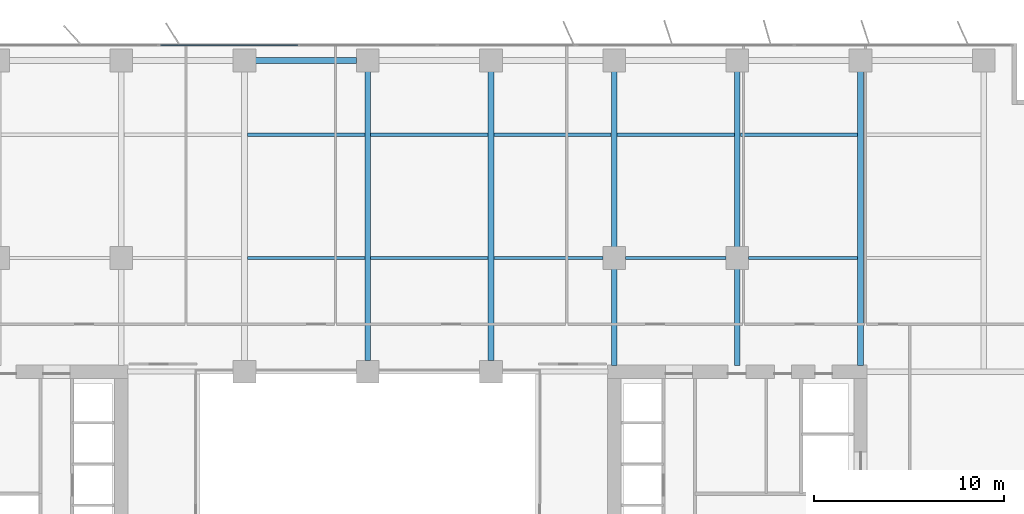
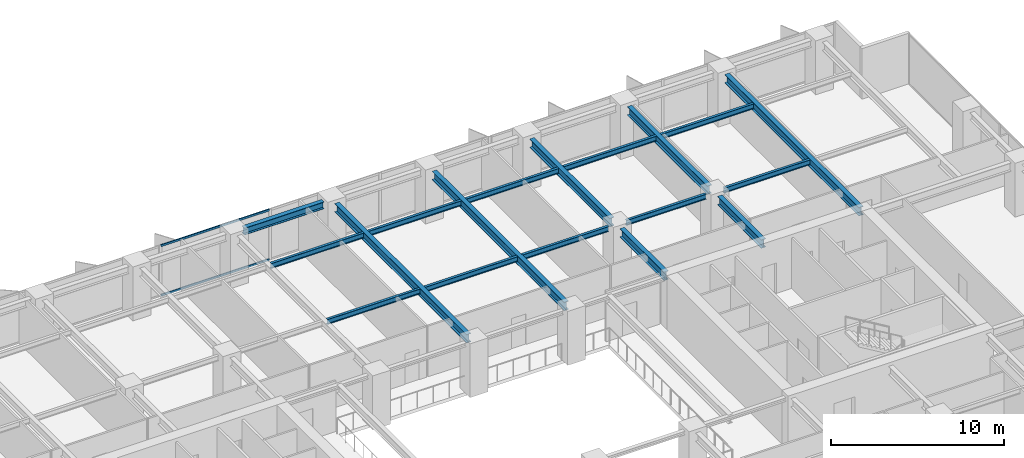
# One storey, part 8 of 20: 18 beams, 2 members, 1 element without a shape of its own.
"""IFC4 building model written with IfcOpenShell, lengths in metres."""

from ifc_helpers import new_model, si_unit, direction, frame, origin, origin_2d, place, context, subcontext, project, spatial, rectangle, i_section, extrude, material, layer, layer_set, material_profile, profile_set, type_object, element, aggregate, save


model = new_model("IFC4")

# Units and contexts
model_context = context("Model", 3, precision=1e-05, world=origin(), true_north=direction((0.0, 1.0)))
body_context = subcontext(model_context, "Body", "Model", "MODEL_VIEW")
ifc_project = project(units=[si_unit("LENGTHUNIT", "METRE"), si_unit("AREAUNIT", "SQUARE_METRE"), si_unit("VOLUMEUNIT", "CUBIC_METRE"), si_unit("PLANEANGLEUNIT", "RADIAN"), si_unit("MASSUNIT", "GRAM", prefix="KILO")], contexts=[model_context])

# Site, building, storey
site_placement = place(None, origin())
site = spatial("IfcSite", under=ifc_project, at=site_placement, CompositionType="ELEMENT")
building_placement = place(site_placement, origin())
building = spatial("IfcBuilding", under=site, at=building_placement, Name="Putna Gate Headquarters", CompositionType="ELEMENT")
storey_placement = place(building_placement, frame((0.0, 0.0, 120.199951171875)))
storey = spatial("IfcBuildingStorey", under=building, at=storey_placement, Name="L29", CompositionType="ELEMENT", Elevation=120.199951171875)

# Beams
ifc_material_1 = material(Name="Steel S355J2", Category="steel")
ifc_material_profile_1 = material_profile(ifc_material_1, i_section(OverallWidth=0.300048828125, OverallDepth=0.60009765625, WebThickness=0.015380859375, FlangeThickness=0.030029296875, at=origin_2d()), Name="Steel S355J2")
ifc_profile_set_1 = profile_set([ifc_material_profile_1], Name="Steel S355J2")
beam_type_1 = type_object("IfcBeamType", Name="BM-GIRD-Z2-HEB600", PredefinedType="USERDEFINED", material=ifc_profile_set_1)
for number, where, z_axis, x_axis, name in (
    (1, (39.0, 33.587890625, 3.26513671875), (0.0, 1.0, 0.0), (-1.0, 0.0, 0.0), "L29 North Primary Girder X39"),
    (2, (45.5, 33.587890625, 3.26513671875), (0.0, 1.0, 0.0), (-1.0, 0.0, 0.0), "L29 North Primary Girder X45"),
):
    element("IfcBeam", number, at=place(storey_placement, frame(where, z_axis=z_axis, x_axis=x_axis)), inside=storey, type_object=beam_type_1, Name=name, ObjectType="GIRDER", PredefinedType="USERDEFINED", context=body_context, shape_type="SweptSolid", body=[
        extrude(i_section(OverallWidth=0.300048828125, OverallDepth=0.60009765625, WebThickness=0.015380859375, FlangeThickness=0.030029296875, at=origin_2d()), origin(), (0.0, 0.0, 1.0), 15.244140625),
    ])
beam_1_placement = place(storey_placement, frame((52.0, 33.3349609375, 3.26513671875), z_axis=(0.0, 1.0, 0.0), x_axis=(-1.0, 0.0, 0.0)))
element("IfcBeam", 3, at=beam_1_placement, inside=storey, type_object=beam_type_1, Name="L29 North Primary Girder X52-1", ObjectType="GIRDER", PredefinedType="USERDEFINED", context=body_context, shape_type="SweptSolid", body=[
    extrude(i_section(OverallWidth=0.300048828125, OverallDepth=0.60009765625, WebThickness=0.015380859375, FlangeThickness=0.030029296875, at=origin_2d()), origin(), (0.0, 0.0, 1.0), 5.0771484375),
])
beam_2_placement = place(storey_placement, frame((52.0, 39.587890625, 3.26513671875), z_axis=(0.0, 1.0, 0.0), x_axis=(-1.0, 0.0, 0.0)))
element("IfcBeam", 4, at=beam_2_placement, inside=storey, type_object=beam_type_1, Name="L29 North Primary Girder X52-2", ObjectType="GIRDER", PredefinedType="USERDEFINED", context=body_context, shape_type="SweptSolid", body=[
    extrude(i_section(OverallWidth=0.300048828125, OverallDepth=0.60009765625, WebThickness=0.015380859375, FlangeThickness=0.030029296875, at=origin_2d()), origin(), (0.0, 0.0, 1.0), 9.244140625),
])
beam_3_placement = place(storey_placement, frame((58.5, 33.3349609375, 3.26513671875), z_axis=(0.0, 1.0, 0.0), x_axis=(-1.0, 0.0, 0.0)))
element("IfcBeam", 5, at=beam_3_placement, inside=storey, type_object=beam_type_1, Name="L29 North Primary Girder X58-1", ObjectType="GIRDER", PredefinedType="USERDEFINED", context=body_context, shape_type="SweptSolid", body=[
    extrude(i_section(OverallWidth=0.300048828125, OverallDepth=0.60009765625, WebThickness=0.015380859375, FlangeThickness=0.030029296875, at=origin_2d()), origin(), (0.0, 0.0, 1.0), 5.0771484375),
])
beam_4_placement = place(storey_placement, frame((58.5, 39.587890625, 3.26513671875), z_axis=(0.0, 1.0, 0.0), x_axis=(-1.0, 0.0, 0.0)))
element("IfcBeam", 6, at=beam_4_placement, inside=storey, type_object=beam_type_1, Name="L29 North Primary Girder X58-2", ObjectType="GIRDER", PredefinedType="USERDEFINED", context=body_context, shape_type="SweptSolid", body=[
    extrude(i_section(OverallWidth=0.300048828125, OverallDepth=0.60009765625, WebThickness=0.015380859375, FlangeThickness=0.030029296875, at=origin_2d()), origin(), (0.0, 0.0, 1.0), 9.244140625),
])
beam_5_placement = place(storey_placement, frame((65.0, 33.3349609375, 3.26513671875), z_axis=(0.0, 1.0, 0.0), x_axis=(-1.0, 0.0, 0.0)))
element("IfcBeam", 7, at=beam_5_placement, inside=storey, type_object=beam_type_1, Name="L29 North Primary Girder X65", ObjectType="GIRDER", PredefinedType="USERDEFINED", context=body_context, shape_type="SweptSolid", body=[
    extrude(i_section(OverallWidth=0.300048828125, OverallDepth=0.60009765625, WebThickness=0.015380859375, FlangeThickness=0.030029296875, at=origin_2d()), origin(), (0.0, 0.0, 1.0), 15.4970703125),
])
ifc_material_profile_2 = material_profile(ifc_material_1, i_section(OverallWidth=0.169921875, OverallDepth=0.360107421875, WebThickness=0.008056640625, FlangeThickness=0.0126953125, at=origin_2d()), Name="Steel S355J2")
ifc_profile_set_2 = profile_set([ifc_material_profile_2], Name="Steel S355J2")
beam_type_2 = type_object("IfcBeamType", Name="BM-SEC-Z2-IPE360", PredefinedType="BEAM", material=ifc_profile_set_2)
for number, where, z_axis, x_axis, name in (
    (8, (32.654052734375, 39.0, 3.385009765625), (1.0, 0.0, 0.0), (0.0, 1.0, 0.0), "L29 North Secondary Beam 5"),
    (9, (32.654052734375, 45.5, 3.385009765625), (1.0, 0.0, 0.0), (0.0, 1.0, 0.0), "L29 North Secondary Beam 5"),
    (10, (39.154052734375, 39.0, 3.385009765625), (1.0, 0.0, 0.0), (0.0, 1.0, 0.0), "L29 North Secondary Beam 6"),
    (11, (39.154052734375, 45.5, 3.385009765625), (1.0, 0.0, 0.0), (0.0, 1.0, 0.0), "L29 North Secondary Beam 6"),
):
    element("IfcBeam", number, at=place(storey_placement, frame(where, z_axis=z_axis, x_axis=x_axis)), inside=storey, type_object=beam_type_2, Name=name, PredefinedType="BEAM", context=body_context, shape_type="SweptSolid", body=[
        extrude(i_section(OverallWidth=0.169921875, OverallDepth=0.360107421875, WebThickness=0.008056640625, FlangeThickness=0.0126953125, at=origin_2d()), origin(), (0.0, 0.0, 1.0), 6.19189453125),
    ])
beam_6_placement = place(storey_placement, frame((45.654052734375, 39.0, 3.385009765625), z_axis=(1.0, 0.0, 0.0), x_axis=(0.0, 1.0, 0.0)))
element("IfcBeam", 12, at=beam_6_placement, inside=storey, type_object=beam_type_2, Name="L29 North Secondary Beam 7", PredefinedType="BEAM", context=body_context, shape_type="SweptSolid", body=[
    extrude(i_section(OverallWidth=0.169921875, OverallDepth=0.360107421875, WebThickness=0.008056640625, FlangeThickness=0.0126953125, at=origin_2d()), origin(), (0.0, 0.0, 1.0), 5.758056640625),
])
beam_7_placement = place(storey_placement, frame((45.654052734375, 45.5, 3.385009765625), z_axis=(1.0, 0.0, 0.0), x_axis=(0.0, 1.0, 0.0)))
element("IfcBeam", 13, at=beam_7_placement, inside=storey, type_object=beam_type_2, Name="L29 North Secondary Beam 7", PredefinedType="BEAM", context=body_context, shape_type="SweptSolid", body=[
    extrude(i_section(OverallWidth=0.169921875, OverallDepth=0.360107421875, WebThickness=0.008056640625, FlangeThickness=0.0126953125, at=origin_2d()), origin(), (0.0, 0.0, 1.0), 6.19189453125),
])
beam_8_placement = place(storey_placement, frame((52.587890625, 39.0, 3.385009765625), z_axis=(1.0, 0.0, 0.0), x_axis=(0.0, 1.0, 0.0)))
element("IfcBeam", 14, at=beam_8_placement, inside=storey, type_object=beam_type_2, Name="L29 North Secondary Beam 8", PredefinedType="BEAM", context=body_context, shape_type="SweptSolid", body=[
    extrude(i_section(OverallWidth=0.169921875, OverallDepth=0.360107421875, WebThickness=0.008056640625, FlangeThickness=0.0126953125, at=origin_2d()), origin(), (0.0, 0.0, 1.0), 5.32421875),
])
beam_9_placement = place(storey_placement, frame((52.154052734375, 45.5, 3.385009765625), z_axis=(1.0, 0.0, 0.0), x_axis=(0.0, 1.0, 0.0)))
element("IfcBeam", 15, at=beam_9_placement, inside=storey, type_object=beam_type_2, Name="L29 North Secondary Beam 8", PredefinedType="BEAM", context=body_context, shape_type="SweptSolid", body=[
    extrude(i_section(OverallWidth=0.169921875, OverallDepth=0.360107421875, WebThickness=0.008056640625, FlangeThickness=0.0126953125, at=origin_2d()), origin(), (0.0, 0.0, 1.0), 6.19189453125),
])
beam_10_placement = place(storey_placement, frame((59.087890625, 39.0, 3.385009765625), z_axis=(1.0, 0.0, 0.0), x_axis=(0.0, 1.0, 0.0)))
element("IfcBeam", 16, at=beam_10_placement, inside=storey, type_object=beam_type_2, Name="L29 North Secondary Beam 9", PredefinedType="BEAM", context=body_context, shape_type="SweptSolid", body=[
    extrude(i_section(OverallWidth=0.169921875, OverallDepth=0.360107421875, WebThickness=0.008056640625, FlangeThickness=0.0126953125, at=origin_2d()), origin(), (0.0, 0.0, 1.0), 5.758056640625),
])
beam_11_placement = place(storey_placement, frame((58.654052734375, 45.5, 3.385009765625), z_axis=(1.0, 0.0, 0.0), x_axis=(0.0, 1.0, 0.0)))
element("IfcBeam", 17, at=beam_11_placement, inside=storey, type_object=beam_type_2, Name="L29 North Secondary Beam 9", PredefinedType="BEAM", context=body_context, shape_type="SweptSolid", body=[
    extrude(i_section(OverallWidth=0.169921875, OverallDepth=0.360107421875, WebThickness=0.008056640625, FlangeThickness=0.0126953125, at=origin_2d()), origin(), (0.0, 0.0, 1.0), 6.19189453125),
])
ifc_material_profile_3 = material_profile(ifc_material_1, i_section(OverallWidth=0.300048828125, OverallDepth=0.489990234375, WebThickness=0.011962890625, FlangeThickness=0.02294921875, at=origin_2d()), Name="Steel S355J2")
ifc_profile_set_3 = profile_set([ifc_material_profile_3], Name="Steel S355J2")
beam_type_3 = type_object("IfcBeamType", Name="BM-SPAN-Z2-HEA500", PredefinedType="SPANDREL", material=ifc_profile_set_3)
beam_12_placement = place(storey_placement, frame((33.087890625, 49.419921875, 3.320068359375), z_axis=(1.0, 0.0, 0.0), x_axis=(0.0, 1.0, 0.0)))
element("IfcBeam", 18, at=beam_12_placement, inside=storey, type_object=beam_type_3, Name="L29 N Perimeter Spandrel 5", PredefinedType="SPANDREL", context=body_context, shape_type="SweptSolid", body=[
    extrude(i_section(OverallWidth=0.300048828125, OverallDepth=0.489990234375, WebThickness=0.011962890625, FlangeThickness=0.02294921875, at=origin_2d()), origin(), (0.0, 0.0, 1.0), 5.32421875),
])

# Curtain wall, members
ifc_material_2 = material(Name="Anodised bronze aluminium curtain wall", Category="aluminium")
ifc_layer = layer(ifc_material_2, 0.179931640625)
ifc_layer_set = layer_set([ifc_layer], Name="Anodised bronze aluminium curtain wall")
curtain_wall_type = type_object("IfcCurtainWallType", Name="CW-SYS-ATR", PredefinedType="USERDEFINED", material=ifc_layer_set)
curtain_wall_placement = place(storey_placement, origin())
curtain_wall = element("IfcCurtainWall", 19, at=curtain_wall_placement, inside=storey, type_object=curtain_wall_type, Name="L29 North Atrium Clear Glazing", ObjectType="ATRIUM GLAZING", PredefinedType="USERDEFINED")
ifc_material_3 = material(Name="Anodised bronze aluminium EN AW-6060", Category="aluminium")
ifc_material_profile_4 = material_profile(ifc_material_3, rectangle(XDim=0.070068359375, YDim=0.139892578125, at=origin_2d()), Name="Anodised bronze aluminium EN AW-6060")
ifc_profile_set_4 = profile_set([ifc_material_profile_4], Name="Anodised bronze aluminium EN AW-6060")
member_type = type_object("IfcMemberType", Name="TRAN-CWT-AT", PredefinedType="USERDEFINED", material=ifc_profile_set_4)
member_1_placement = place(storey_placement, frame((28.070068359375, 50.219970703125, 0.03515625), z_axis=(1.0, 0.0, 0.0), x_axis=(0.0, 1.0, 0.0)))
member_1 = element("IfcMember", 20, at=member_1_placement, type_object=member_type, Name="CWS-AT transom 1.1", ObjectType="TRANSOM", PredefinedType="USERDEFINED", context=body_context, shape_type="SweptSolid", body=[
    extrude(rectangle(XDim=0.070068359375, YDim=0.139892578125, at=origin_2d()), origin(), (0.0, 0.0, 1.0), 7.228271484375),
])
member_2_placement = place(storey_placement, frame((28.070068359375, 50.219970703125, 3.530029296875), z_axis=(1.0, 0.0, 0.0), x_axis=(0.0, 1.0, 0.0)))
member_2 = element("IfcMember", 21, at=member_2_placement, type_object=member_type, Name="CWS-AT transom 1.2", ObjectType="TRANSOM", PredefinedType="USERDEFINED", context=body_context, shape_type="SweptSolid", body=[
    extrude(rectangle(XDim=0.070068359375, YDim=0.139892578125, at=origin_2d()), origin(), (0.0, 0.0, 1.0), 7.228271484375),
])
aggregate(curtain_wall, [member_1, member_2])

save(model, "model.ifc")
